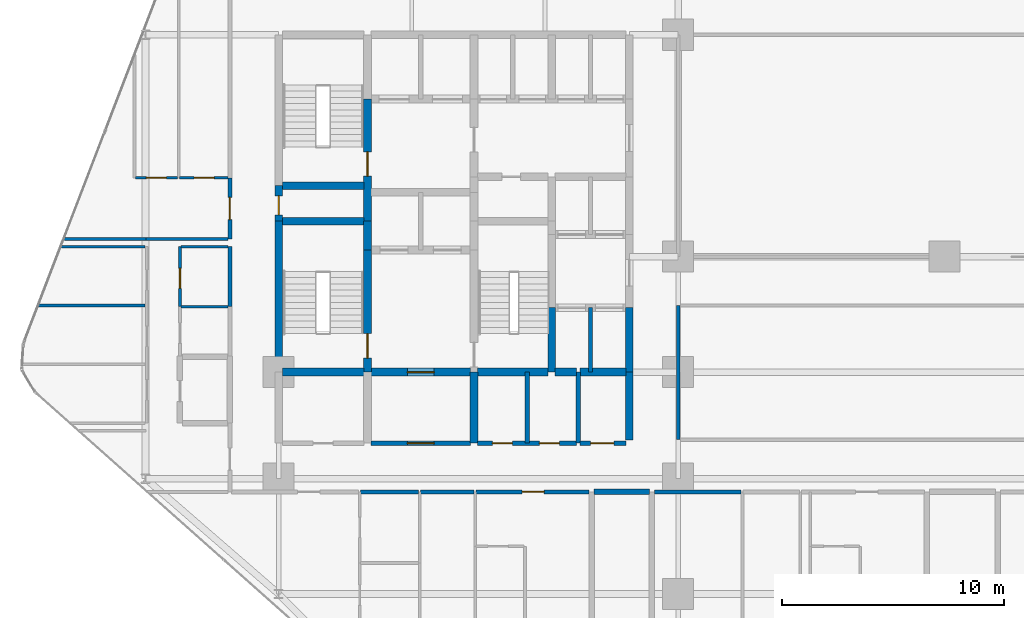
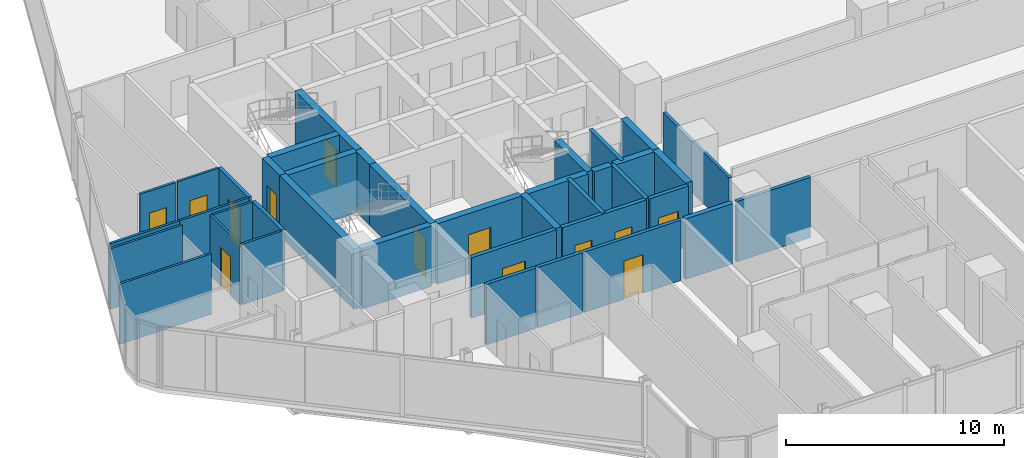
# One storey, part 27 of 33: 39 walls, 13 doors, 13 openings.
"""IFC4 building model written with IfcOpenShell, lengths in metres."""

import ifcopenshell
import ifcopenshell.guid

model = None  # the IFC model being written
_history = None  # IfcOwnerHistory: only IFC2X3 demands one
_inside = {}  # id of a spatial element -> (the spatial element, [elements in it])
_under = {}  # id of a project, library or spatial element -> (it, [spatial elements below it])
_declared = {}  # id of a project -> (the project, [libraries it declares])
_typed = {}  # id of a type object -> (the type object, [elements of that type])
_made_of = {}  # id of a material, layer set ... -> (it, [elements and type objects made of it])


def new_model(schema):
    """Start an empty IFC model of exactly this schema.

    Asked for "IFC4X3", IfcOpenShell would pick the latest addendum, in which some entities
    have other attributes; the version numbers below select the first issue.
    IFC2X3 requires an IfcOwnerHistory on every rooted entity: one is made here for all.
    """
    global model, _history
    if schema == "IFC4X3":
        model = ifcopenshell.file(schema_version=(4, 3, 0, 0))
    else:
        model = ifcopenshell.file(schema=schema)
    _inside.clear()
    _under.clear()
    _declared.clear()
    _typed.clear()
    _made_of.clear()
    _history = None
    if model.schema == "IFC2X3":
        org = make("IfcOrganization", Name="unknown")
        user = make(
            "IfcPersonAndOrganization",
            ThePerson=make("IfcPerson", FamilyName="unknown"),
            TheOrganization=org,
        )
        app = make(
            "IfcApplication",
            ApplicationDeveloper=org,
            Version="unknown",
            ApplicationFullName="unknown",
            ApplicationIdentifier="unknown",
        )
        _history = make(
            "IfcOwnerHistory",
            OwningUser=user,
            OwningApplication=app,
            ChangeAction="ADDED",
            CreationDate=0,
        )
    return model


def make(cls, **values):
    """One entity of the class cls with the attributes given. An attribute that is None is left unset."""
    return model.create_entity(
        cls, **{name: value for name, value in values.items() if value is not None}
    )


def rooted(cls, **values):
    """An entity with a GlobalId (a new one), such as an element, a storey or a relation."""
    return make(cls, GlobalId=ifcopenshell.guid.new(), OwnerHistory=_history, **values)


def si_unit(unit_type, name, prefix=None):
    """IfcSIUnit, for example si_unit("LENGTHUNIT", "METRE", prefix="MILLI")."""
    return make("IfcSIUnit", UnitType=unit_type, Prefix=prefix, Name=name)


def assignment(units):
    """IfcUnitAssignment: the units of a project."""
    return None if units is None else make("IfcUnitAssignment", Units=units)


def point(xyz):
    """IfcCartesianPoint."""
    return None if xyz is None else make("IfcCartesianPoint", Coordinates=xyz)


def direction(xyz):
    """IfcDirection."""
    return None if xyz is None else make("IfcDirection", DirectionRatios=xyz)


def frame(location, z_axis=None, x_axis=None):
    """IfcAxis2Placement3D, a coordinate frame: its origin and axes. An axis left out is left unset."""
    return make(
        "IfcAxis2Placement3D",
        Location=point(location),
        Axis=direction(z_axis),
        RefDirection=direction(x_axis),
    )


def frame_2d(location, x_axis=None):
    """IfcAxis2Placement2D, a coordinate frame in the plane: its origin and x axis."""
    return make(
        "IfcAxis2Placement2D", Location=point(location), RefDirection=direction(x_axis)
    )


def origin():
    """The frame at (0, 0, 0) with its axes left unset."""
    return frame((0.0, 0.0, 0.0))


def place(relative_to, where):
    """IfcLocalPlacement: puts the frame where relative to a parent placement (None: the world)."""
    return make(
        "IfcLocalPlacement", PlacementRelTo=relative_to, RelativePlacement=where
    )


def context(
    kind, dimensions, precision=None, world=None, true_north=None, identifier=None
):
    """IfcGeometricRepresentationContext, for example the 3D "Model" context."""
    return make(
        "IfcGeometricRepresentationContext",
        ContextIdentifier=identifier,
        ContextType=kind,
        CoordinateSpaceDimension=dimensions,
        Precision=precision,
        WorldCoordinateSystem=world,
        TrueNorth=true_north,
    )


def subcontext(parent, identifier, kind, view, scale=None):
    """IfcGeometricRepresentationSubContext, for example "Body" below "Model"."""
    return make(
        "IfcGeometricRepresentationSubContext",
        ContextIdentifier=identifier,
        ContextType=kind,
        ParentContext=parent,
        TargetScale=scale,
        TargetView=view,
    )


def project(units=None, contexts=None):
    """IfcProject with its units and contexts."""
    return rooted(
        "IfcProject",
        Name="project",
        RepresentationContexts=contexts,
        UnitsInContext=assignment(units),
    )


def spatial(cls, under=None, at=None, **own):
    """A site, building, storey or space (cls), placed at a placement, below another one or the project."""
    s = rooted(cls, ObjectPlacement=at, **own)
    if under is not None:
        _under.setdefault(under.id(), (under, []))[1].append(s)
    return s


def profile(cls, at=None, kind="AREA", **sizes):
    """A parametric profile (cls). Its sizes go by their IFC names, for example OverallWidth=200.0."""
    return make(cls, ProfileType=kind, Position=at, **sizes)


def rectangle(**sizes):
    """IfcRectangleProfileDef."""
    return profile("IfcRectangleProfileDef", **sizes)


def extrude(swept, where, along, depth):
    """IfcExtrudedAreaSolid: the profile swept, set in the frame where, extruded along a direction by depth."""
    return make(
        "IfcExtrudedAreaSolid",
        SweptArea=swept,
        Position=where,
        ExtrudedDirection=direction(along),
        Depth=depth,
    )


def shape(context_of_items, identifier, shape_type, items):
    """IfcShapeRepresentation: the items that make up one representation, for example the "Body"."""
    return make(
        "IfcShapeRepresentation",
        ContextOfItems=context_of_items,
        RepresentationIdentifier=identifier,
        RepresentationType=shape_type,
        Items=items,
    )


def material(Name=None, Category=None):
    """IfcMaterial."""
    return make("IfcMaterial", Name=Name, Category=Category)


def layer(
    of_material, thickness, ventilated=None, Name=None, Category=None, Priority=None
):
    """IfcMaterialLayer: one layer of a wall or slab, of a material (None: an air gap)."""
    return make(
        "IfcMaterialLayer",
        Material=of_material,
        LayerThickness=thickness,
        IsVentilated=ventilated,
        Name=Name,
        Category=Category,
        Priority=Priority,
    )


def layer_set(layers, Name=None):
    """IfcMaterialLayerSet."""
    return make("IfcMaterialLayerSet", MaterialLayers=layers, LayerSetName=Name)


def made_of(thing, what):
    """Note that an element or type object is made of a material, layer set ...; save() writes the relation."""
    if what is not None:
        _made_of.setdefault(what.id(), (what, []))[1].append(thing)
    return thing


def type_object(cls, material=None, **own):
    """A type object (cls), such as IfcWallType, which elements share."""
    return made_of(rooted(cls, **own), material)


def element(
    cls,
    number,
    at=None,
    inside=None,
    cuts=None,
    type_object=None,
    material=None,
    context=None,
    identifier="Body",
    shape_type=None,
    held_by="IfcProductDefinitionShape",
    body=None,
    shapes=None,
    **own,
):
    """One element of the class cls, such as IfcWall. Its Tag is "e" and its number.

    at: its placement. inside: the storey or other place that contains it. cuts: it is an
    opening in that element (IfcRelVoidsElement). A single representation is given by context,
    identifier, shape_type and body (its items); several are given by shapes. held_by: the class
    of the entity that holds the representations. save() writes the other relations.
    """
    e = rooted(cls, Tag="e%d" % number, ObjectPlacement=at, **own)
    if body is not None:
        shapes = [shape(context, identifier, shape_type, body)]
    if shapes is not None:
        e.Representation = make(held_by, Representations=shapes)
    if inside is not None:
        _inside.setdefault(inside.id(), (inside, []))[1].append(e)
    if cuts is not None:
        rooted(
            "IfcRelVoidsElement", RelatingBuildingElement=cuts, RelatedOpeningElement=e
        )
    if type_object is not None:
        _typed.setdefault(type_object.id(), (type_object, []))[1].append(e)
    return made_of(e, material)


def fill(opening, filler):
    """IfcRelFillsElement: the door or window that sits in an opening."""
    return rooted(
        "IfcRelFillsElement",
        RelatingOpeningElement=opening,
        RelatedBuildingElement=filler,
    )


def aggregate(whole, parts):
    """IfcRelAggregates: a whole, such as a stair, and the parts it consists of."""
    return rooted("IfcRelAggregates", RelatingObject=whole, RelatedObjects=parts)


def save(model, path):
    """Write the relations noted so far, then the file.

    IfcRelAggregates (storeys below a building ...), IfcRelContainedInSpatialStructure (elements
    in a storey), IfcRelDefinesByType, IfcRelAssociatesMaterial and IfcRelDeclares: one each for
    every whole, place, type object, material and project.
    """
    for whole, parts in _under.values():
        aggregate(whole, parts)
    for where, things in _inside.values():
        rooted(
            "IfcRelContainedInSpatialStructure",
            RelatedElements=things,
            RelatingStructure=where,
        )
    for kind, things in _typed.values():
        rooted("IfcRelDefinesByType", RelatedObjects=things, RelatingType=kind)
    for what, things in _made_of.values():
        rooted("IfcRelAssociatesMaterial", RelatedObjects=things, RelatingMaterial=what)
    for by, libraries in _declared.values():
        rooted("IfcRelDeclares", RelatingContext=by, RelatedDefinitions=libraries)
    model.write(path)


model = new_model("IFC4")

# Units and contexts
model_context = context("Model", 3, precision=1e-05, world=origin(), true_north=direction((0.0, 1.0)))
body_context = subcontext(model_context, "Body", "Model", "MODEL_VIEW")
ifc_project = project(units=[si_unit("LENGTHUNIT", "METRE"), si_unit("AREAUNIT", "SQUARE_METRE"), si_unit("VOLUMEUNIT", "CUBIC_METRE"), si_unit("PLANEANGLEUNIT", "RADIAN"), si_unit("MASSUNIT", "GRAM", prefix="KILO")], contexts=[model_context])

# Site, building, storey
site_placement = place(None, origin())
site = spatial("IfcSite", under=ifc_project, at=site_placement, CompositionType="ELEMENT")
building_placement = place(site_placement, origin())
building = spatial("IfcBuilding", under=site, at=building_placement, Name="Keshet Zoharim Tower", CompositionType="ELEMENT")
storey_placement = place(building_placement, frame((0.0, 0.0, 35.10009765625)))
storey = spatial("IfcBuildingStorey", under=building, at=storey_placement, Name="L07", CompositionType="ELEMENT", Elevation=35.10009765625)

# Walls
ifc_material_1 = material(Name="Gypsum Plasterboard", Category="gypsum")
ifc_layer_1 = layer(ifc_material_1, 0.14990234375)
ifc_layer_set_1 = layer_set([ifc_layer_1], Name="Gypsum Plasterboard")
wall_type_1 = type_object("IfcWallType", Name="WL-CLIN-150", PredefinedType="STANDARD", material=ifc_layer_set_1)
wall_1_placement = place(storey_placement, frame((33.0, 19.659912109375, 0.0), z_axis=(0.0, 0.0, 1.0), x_axis=(0.0, 1.0, 0.0)))
element("IfcWall", 1, at=wall_1_placement, inside=storey, type_object=wall_type_1, Name="L07 Interior Wall 072", PredefinedType="STANDARD", context=body_context, shape_type="SweptSolid", body=[
    extrude(rectangle(XDim=6.030029296875, YDim=0.14990234375, at=frame_2d((3.01513671875, 0.0))), origin(), (0.0, 0.0, 1.0), 2.885009765625),
])
ifc_material_2 = material(Name="Concrete C60/75", Category="concrete")
ifc_layer_2 = layer(ifc_material_2, 0.35009765625)
ifc_layer_set_2 = layer_set([ifc_layer_2], Name="Concrete C60/75")
wall_type_2 = type_object("IfcWallType", Name="WL-CORE-350", PredefinedType="SHEAR", material=ifc_layer_set_2)
wall_2_placement = place(storey_placement, frame((15.0, 22.699951171875, 0.0), z_axis=(0.0, 0.0, 1.0), x_axis=(0.0, 1.0, 0.0)))
element("IfcWall", 2, at=wall_2_placement, inside=storey, type_object=wall_type_2, Name="L07 Core Shear Wall 014", PredefinedType="SHEAR", context=body_context, shape_type="SweptSolid", body=[
    extrude(rectangle(XDim=6.800048828125, YDim=0.35009765625, at=frame_2d((3.39990234375, 0.0))), origin(), (0.0, 0.0, 1.0), 3.385009765625),
])

# Wall, opening, door
wall_3_placement = place(storey_placement, frame((15.0, 29.5, 0.0), z_axis=(0.0, 0.0, 1.0), x_axis=(0.0, 1.0, 0.0)))
wall_3 = element("IfcWall", 3, at=wall_3_placement, inside=storey, type_object=wall_type_2, Name="L07 Core Shear Wall 015", PredefinedType="SHEAR", context=body_context, shape_type="SweptSolid", body=[
    extrude(rectangle(XDim=1.60009765625, YDim=0.35009765625, at=frame_2d((0.800048828125, 0.0))), origin(), (0.0, 0.0, 1.0), 3.385009765625),
])
opening_1_placement = place(wall_3_placement, frame((0.287109375, 0.0, 0.0)))
opening_1 = element("IfcOpeningElement", 4, at=opening_1_placement, cuts=wall_3, Name="Opening D-RS85", PredefinedType="OPENING", context=body_context, shape_type="SweptSolid", body=[
    extrude(rectangle(XDim=0.85009765625, YDim=2.10009765625, at=frame_2d((0.425048828125, 1.050048828125))), frame((0.0, 0.18505859375, 0.0), z_axis=(0.0, -1.0, 0.0), x_axis=(1.0, 0.0, 0.0)), (0.0, 0.0, 1.0), 0.3701171875),
])
ifc_material_3 = material(Name="Hardwood Timber", Category="wood")
door_type_1 = type_object("IfcDoorType", Name="DR-RIS-085", OperationType="NOTDEFINED", PredefinedType="DOOR", material=ifc_material_3)
door_1_placement = place(opening_1_placement, origin())
door_1 = element("IfcDoor", 5, at=door_1_placement, inside=storey, type_object=door_type_1, Name="L07 Electrical Riser Access Cupboard Door", OperationType="SINGLE_SWING_LEFT", OverallHeight=2.10009765625, OverallWidth=0.85009765625, PredefinedType="DOOR", context=body_context, shape_type="SweptSolid", body=[
    extrude(rectangle(XDim=0.85009765625, YDim=2.10009765625, at=frame_2d((0.425048828125, 1.050048828125))), frame((0.0, 0.02490234375, 0.0), z_axis=(0.0, -1.0, 0.0), x_axis=(1.0, 0.0, 0.0)), (0.0, 0.0, 1.0), 0.050048828125),
])
fill(opening_1, door_1)

wall_4_placement = place(storey_placement, frame((19.0, 22.699951171875, 0.0), z_axis=(0.0, 0.0, 1.0), x_axis=(0.0, 1.0, 0.0)))
wall_4 = element("IfcWall", 6, at=wall_4_placement, inside=storey, type_object=wall_type_2, Name="L07 Core Shear Wall 022", PredefinedType="SHEAR", context=body_context, shape_type="SweptSolid", body=[
    extrude(rectangle(XDim=5.5, YDim=0.35009765625, at=frame_2d((2.75, 0.0))), origin(), (0.0, 0.0, 1.0), 3.385009765625),
])
opening_2_placement = place(wall_4_placement, frame((0.631103515625, 0.0, 0.0)))
opening_2 = element("IfcOpeningElement", 7, at=opening_2_placement, cuts=wall_4, Name="Opening D-F611", PredefinedType="OPENING", context=body_context, shape_type="SweptSolid", body=[
    extrude(rectangle(XDim=1.10009765625, YDim=2.14990234375, at=frame_2d((0.550048828125, 1.074951171875))), frame((0.0, 0.18505859375, 0.0), z_axis=(0.0, -1.0, 0.0), x_axis=(1.0, 0.0, 0.0)), (0.0, 0.0, 1.0), 0.3701171875),
])
door_type_2 = type_object("IfcDoorType", Name="DR-FD60-110", OperationType="NOTDEFINED", PredefinedType="DOOR", material=ifc_material_3)
door_2_placement = place(opening_2_placement, origin())
door_2 = element("IfcDoor", 8, at=door_2_placement, inside=storey, type_object=door_type_2, Name="L07 Exit Stair ST-01 Fire Door", OperationType="SINGLE_SWING_LEFT", OverallHeight=2.14990234375, OverallWidth=1.10009765625, PredefinedType="DOOR", context=body_context, shape_type="SweptSolid", body=[
    extrude(rectangle(XDim=1.10009765625, YDim=2.14990234375, at=frame_2d((0.550048828125, 1.074951171875))), frame((0.0, 0.02490234375, 0.0), z_axis=(0.0, -1.0, 0.0), x_axis=(1.0, 0.0, 0.0)), (0.0, 0.0, 1.0), 0.050048828125),
])
fill(opening_2, door_2)

# Wall
wall_5_placement = place(storey_placement, frame((19.0, 28.199951171875, 0.0), z_axis=(0.0, 0.0, 1.0), x_axis=(0.0, 1.0, 0.0)))
element("IfcWall", 9, at=wall_5_placement, inside=storey, type_object=wall_type_2, Name="L07 Core Shear Wall 023", PredefinedType="SHEAR", context=body_context, shape_type="SweptSolid", body=[
    extrude(rectangle(XDim=1.300048828125, YDim=0.35009765625, at=frame_2d((0.64990234375, 0.0))), origin(), (0.0, 0.0, 1.0), 3.385009765625),
])

# Wall, opening, door
wall_6_placement = place(storey_placement, frame((19.0, 29.5, 0.0), z_axis=(0.0, 0.0, 1.0), x_axis=(0.0, 1.0, 0.0)))
wall_6 = element("IfcWall", 10, at=wall_6_placement, inside=storey, type_object=wall_type_2, Name="L07 Core Shear Wall 024", PredefinedType="SHEAR", context=body_context, shape_type="SweptSolid", body=[
    extrude(rectangle(XDim=5.5, YDim=0.35009765625, at=frame_2d((2.75, 0.0))), origin(), (0.0, 0.0, 1.0), 3.385009765625),
])
opening_3_placement = place(wall_6_placement, frame((2.02490234375, 0.0, 0.0)))
opening_3 = element("IfcOpeningElement", 11, at=opening_3_placement, cuts=wall_6, Name="Opening D-F611", PredefinedType="OPENING", context=body_context, shape_type="SweptSolid", body=[
    extrude(rectangle(XDim=1.10009765625, YDim=2.14990234375, at=frame_2d((0.550048828125, 1.074951171875))), frame((0.0, 0.18505859375, 0.0), z_axis=(0.0, -1.0, 0.0), x_axis=(1.0, 0.0, 0.0)), (0.0, 0.0, 1.0), 0.3701171875),
])
door_3_placement = place(opening_3_placement, origin())
door_3 = element("IfcDoor", 12, at=door_3_placement, inside=storey, type_object=door_type_2, Name="L07 Exit Stair ST-02 Fire Door", OperationType="SINGLE_SWING_RIGHT", OverallHeight=2.14990234375, OverallWidth=1.10009765625, PredefinedType="DOOR", context=body_context, shape_type="SweptSolid", body=[
    extrude(rectangle(XDim=1.10009765625, YDim=2.14990234375, at=frame_2d((0.550048828125, 1.074951171875))), frame((0.0, 0.02490234375, 0.0), z_axis=(0.0, -1.0, 0.0), x_axis=(1.0, 0.0, 0.0)), (0.0, 0.0, 1.0), 0.050048828125),
])
fill(opening_3, door_3)

# Walls
wall_7_placement = place(storey_placement, frame((23.800048828125, 19.5, 0.0), z_axis=(0.0, 0.0, 1.0), x_axis=(0.0, 1.0, 0.0)))
element("IfcWall", 13, at=wall_7_placement, inside=storey, type_object=wall_type_2, Name="L07 Core Shear Wall 034", PredefinedType="SHEAR", context=body_context, shape_type="SweptSolid", body=[
    extrude(rectangle(XDim=3.199951171875, YDim=0.35009765625, at=frame_2d((1.60009765625, 0.0))), origin(), (0.0, 0.0, 1.0), 3.385009765625),
])
wall_8_placement = place(storey_placement, frame((27.300048828125, 22.699951171875, 0.0), z_axis=(0.0, 0.0, 1.0), x_axis=(0.0, 1.0, 0.0)))
element("IfcWall", 14, at=wall_8_placement, inside=storey, type_object=wall_type_2, Name="L07 Core Shear Wall 047", PredefinedType="SHEAR", context=body_context, shape_type="SweptSolid", body=[
    extrude(rectangle(XDim=2.900146484375, YDim=0.35009765625, at=frame_2d((1.4501953125, 0.0))), origin(), (0.0, 0.0, 1.0), 3.385009765625),
])
wall_9_placement = place(storey_placement, frame((30.800048828125, 19.64990234375, 0.0), z_axis=(0.0, 0.0, 1.0), x_axis=(0.0, 1.0, 0.0)))
element("IfcWall", 15, at=wall_9_placement, inside=storey, type_object=wall_type_2, Name="L07 Core Shear Wall 062", PredefinedType="SHEAR", context=body_context, shape_type="SweptSolid", body=[
    extrude(rectangle(XDim=3.050048828125, YDim=0.35009765625, at=frame_2d((1.52490234375, 0.0))), origin(), (0.0, 0.0, 1.0), 3.385009765625),
])
wall_10_placement = place(storey_placement, frame((30.800048828125, 22.699951171875, 0.0), z_axis=(0.0, 0.0, 1.0), x_axis=(0.0, 1.0, 0.0)))
element("IfcWall", 16, at=wall_10_placement, inside=storey, type_object=wall_type_2, Name="L07 Core Shear Wall 063", PredefinedType="SHEAR", context=body_context, shape_type="SweptSolid", body=[
    extrude(rectangle(XDim=2.900146484375, YDim=0.35009765625, at=frame_2d((1.4501953125, 0.0))), origin(), (0.0, 0.0, 1.0), 3.385009765625),
])
wall_11_placement = place(storey_placement, frame((15.159912109375, 22.699951171875, 0.0), z_axis=(0.0, 0.0, 1.0), x_axis=(1.0, 0.0, 0.0)))
element("IfcWall", 17, at=wall_11_placement, inside=storey, type_object=wall_type_2, Name="L07 Core Shear Wall 176", PredefinedType="SHEAR", context=body_context, shape_type="SweptSolid", body=[
    extrude(rectangle(XDim=3.68017578125, YDim=0.35009765625, at=frame_2d((1.840087890625, 0.0))), origin(), (0.0, 0.0, 1.0), 3.385009765625),
])

# Wall, opening, door
wall_12_placement = place(storey_placement, frame((19.159912109375, 22.699951171875, 0.0), z_axis=(0.0, 0.0, 1.0), x_axis=(1.0, 0.0, 0.0)))
wall_12 = element("IfcWall", 18, at=wall_12_placement, inside=storey, type_object=wall_type_2, Name="L07 Core Shear Wall 177", PredefinedType="SHEAR", context=body_context, shape_type="SweptSolid", body=[
    extrude(rectangle(XDim=4.47998046875, YDim=0.35009765625, at=frame_2d((2.239990234375, 0.0))), origin(), (0.0, 0.0, 1.0), 3.385009765625),
])
opening_4_placement = place(wall_12_placement, frame((1.639892578125, 0.0, 0.0)))
opening_4 = element("IfcOpeningElement", 19, at=opening_4_placement, cuts=wall_12, Name="Opening D-F612", PredefinedType="OPENING", context=body_context, shape_type="SweptSolid", body=[
    extrude(rectangle(XDim=1.199951171875, YDim=2.199951171875, at=frame_2d((0.60009765625, 1.10009765625))), frame((0.0, 0.18505859375, 0.0), z_axis=(0.0, -1.0, 0.0), x_axis=(1.0, 0.0, 0.0)), (0.0, 0.0, 1.0), 0.3701171875),
])
door_type_3 = type_object("IfcDoorType", Name="DR-FD60-120", OperationType="NOTDEFINED", PredefinedType="DOOR", material=ifc_material_3)
door_4_placement = place(opening_4_placement, origin())
door_4 = element("IfcDoor", 20, at=door_4_placement, inside=storey, type_object=door_type_3, Name="L07 South Core Lobby Fire Door", OperationType="SINGLE_SWING_RIGHT", OverallHeight=2.199951171875, OverallWidth=1.199951171875, PredefinedType="DOOR", context=body_context, shape_type="SweptSolid", body=[
    extrude(rectangle(XDim=1.199951171875, YDim=2.199951171875, at=frame_2d((0.60009765625, 1.10009765625))), frame((0.0, 0.02490234375, 0.0), z_axis=(0.0, -1.0, 0.0), x_axis=(1.0, 0.0, 0.0)), (0.0, 0.0, 1.0), 0.050048828125),
])
fill(opening_4, door_4)

# Walls
wall_13_placement = place(storey_placement, frame((23.9599609375, 22.699951171875, 0.0), z_axis=(0.0, 0.0, 1.0), x_axis=(1.0, 0.0, 0.0)))
element("IfcWall", 21, at=wall_13_placement, inside=storey, type_object=wall_type_2, Name="L07 Core Shear Wall 178", PredefinedType="SHEAR", context=body_context, shape_type="SweptSolid", body=[
    extrude(rectangle(XDim=3.179931640625, YDim=0.35009765625, at=frame_2d((1.58984375, 0.0))), origin(), (0.0, 0.0, 1.0), 3.385009765625),
])
wall_14_placement = place(storey_placement, frame((27.4599609375, 22.699951171875, 0.0), z_axis=(0.0, 0.0, 1.0), x_axis=(1.0, 0.0, 0.0)))
element("IfcWall", 22, at=wall_14_placement, inside=storey, type_object=wall_type_2, Name="L07 Core Shear Wall 179", PredefinedType="SHEAR", context=body_context, shape_type="SweptSolid", body=[
    extrude(rectangle(XDim=0.955078125, YDim=0.35009765625, at=frame_2d((0.4775390625, 0.0))), origin(), (0.0, 0.0, 1.0), 3.385009765625),
])
wall_15_placement = place(storey_placement, frame((28.5849609375, 22.699951171875, 0.0), z_axis=(0.0, 0.0, 1.0), x_axis=(1.0, 0.0, 0.0)))
element("IfcWall", 23, at=wall_15_placement, inside=storey, type_object=wall_type_2, Name="L07 Core Shear Wall 180", PredefinedType="SHEAR", context=body_context, shape_type="SweptSolid", body=[
    extrude(rectangle(XDim=2.054931640625, YDim=0.35009765625, at=frame_2d((1.02734375, 0.0))), origin(), (0.0, 0.0, 1.0), 3.385009765625),
])
for number, where, z_axis, x_axis, name in (
    (24, (15.159912109375, 29.5, 0.0), (0.0, 0.0, 1.0), (1.0, 0.0, 0.0), "L07 Core Shear Wall 194"),
    (25, (15.159912109375, 31.10009765625, 0.0), (0.0, 0.0, 1.0), (1.0, 0.0, 0.0), "L07 Core Shear Wall 197"),
):
    element("IfcWall", number, at=place(storey_placement, frame(where, z_axis=z_axis, x_axis=x_axis)), inside=storey, type_object=wall_type_2, Name=name, PredefinedType="SHEAR", context=body_context, shape_type="SweptSolid", body=[
        extrude(rectangle(XDim=3.68017578125, YDim=0.35009765625, at=frame_2d((1.840087890625, 0.0))), origin(), (0.0, 0.0, 1.0), 3.385009765625),
    ])
ifc_layer_3 = layer(ifc_material_1, 0.179931640625)
ifc_layer_set_3 = layer_set([ifc_layer_3], Name="Gypsum Plasterboard")
wall_type_3 = type_object("IfcWallType", Name="WL-CORR-180", PredefinedType="STANDARD", material=ifc_layer_set_3)
wall_16_placement = place(storey_placement, frame((12.800048828125, 25.64697265625, 0.0), z_axis=(0.0, 0.0, 1.0), x_axis=(0.0, 1.0, 0.0)))
element("IfcWall", 26, at=wall_16_placement, inside=storey, type_object=wall_type_3, Name="L07 Interior Wall 010", PredefinedType="STANDARD", context=body_context, shape_type="SweptSolid", body=[
    extrude(rectangle(XDim=2.703125, YDim=0.179931640625, at=frame_2d((1.3515625, 0.0))), origin(), (0.0, 0.0, 1.0), 3.385009765625),
])

# Wall, opening, door
wall_17_placement = place(storey_placement, frame((12.800048828125, 28.699951171875, 0.0), z_axis=(0.0, 0.0, 1.0), x_axis=(0.0, 1.0, 0.0)))
wall_17 = element("IfcWall", 27, at=wall_17_placement, inside=storey, type_object=wall_type_3, Name="L07 Interior Wall 011", PredefinedType="STANDARD", context=body_context, shape_type="SweptSolid", body=[
    extrude(rectangle(XDim=2.75, YDim=0.179931640625, at=frame_2d((1.375, 0.0))), origin(), (0.0, 0.0, 1.0), 3.385009765625),
])
opening_5_placement = place(wall_17_placement, frame((0.875, 0.0, 0.0)))
opening_5 = element("IfcOpeningElement", 28, at=opening_5_placement, cuts=wall_17, Name="Opening D-F310", PredefinedType="OPENING", context=body_context, shape_type="SweptSolid", body=[
    extrude(rectangle(XDim=1.0, YDim=2.14990234375, at=frame_2d((0.5, 1.074951171875))), frame((0.0, 0.10009765625, 0.0), z_axis=(0.0, -1.0, 0.0), x_axis=(1.0, 0.0, 0.0)), (0.0, 0.0, 1.0), 0.199951171875),
])
door_type_4 = type_object("IfcDoorType", Name="DR-FD30-100", OperationType="NOTDEFINED", PredefinedType="DOOR", material=ifc_material_3)
door_5_placement = place(opening_5_placement, origin())
door_5 = element("IfcDoor", 29, at=door_5_placement, inside=storey, type_object=door_type_4, Name="Apartment 0710 Entrance Door", OperationType="SINGLE_SWING_RIGHT", OverallHeight=2.14990234375, OverallWidth=1.0, PredefinedType="DOOR", context=body_context, shape_type="SweptSolid", body=[
    extrude(rectangle(XDim=1.0, YDim=2.14990234375, at=frame_2d((0.5, 1.074951171875))), frame((0.0, 0.02490234375, 0.0), z_axis=(0.0, -1.0, 0.0), x_axis=(1.0, 0.0, 0.0)), (0.0, 0.0, 1.0), 0.050048828125),
])
fill(opening_5, door_5)

# Walls
wall_18_placement = place(storey_placement, frame((18.68505859375, 17.300048828125, 0.0), z_axis=(0.0, 0.0, 1.0), x_axis=(1.0, 0.0, 0.0)))
element("IfcWall", 30, at=wall_18_placement, inside=storey, type_object=wall_type_3, Name="L07 Interior Wall 153", PredefinedType="STANDARD", context=body_context, shape_type="SweptSolid", body=[
    extrude(rectangle(XDim=2.60986328125, YDim=0.179931640625, at=frame_2d((1.304931640625, 0.0))), origin(), (0.0, 0.0, 1.0), 3.385009765625),
])
wall_19_placement = place(storey_placement, frame((21.385009765625, 17.300048828125, 0.0), z_axis=(0.0, 0.0, 1.0), x_axis=(1.0, 0.0, 0.0)))
element("IfcWall", 31, at=wall_19_placement, inside=storey, type_object=wall_type_3, Name="L07 Interior Wall 154", PredefinedType="STANDARD", context=body_context, shape_type="SweptSolid", body=[
    extrude(rectangle(XDim=2.409912109375, YDim=0.179931640625, at=frame_2d((1.205078125, 0.0))), origin(), (0.0, 0.0, 1.0), 3.385009765625),
])

# Wall, opening, door
wall_20_placement = place(storey_placement, frame((23.885009765625, 17.300048828125, 0.0), z_axis=(0.0, 0.0, 1.0), x_axis=(1.0, 0.0, 0.0)))
wall_20 = element("IfcWall", 32, at=wall_20_placement, inside=storey, type_object=wall_type_3, Name="L07 Interior Wall 155", PredefinedType="STANDARD", context=body_context, shape_type="SweptSolid", body=[
    extrude(rectangle(XDim=5.094970703125, YDim=0.179931640625, at=frame_2d((2.54736328125, 0.0))), origin(), (0.0, 0.0, 1.0), 3.385009765625),
])
opening_6_placement = place(wall_20_placement, frame((2.080078125, 0.0, 0.0)))
opening_6 = element("IfcOpeningElement", 33, at=opening_6_placement, cuts=wall_20, Name="Opening D-F310", PredefinedType="OPENING", context=body_context, shape_type="SweptSolid", body=[
    extrude(rectangle(XDim=1.0, YDim=2.14990234375, at=frame_2d((0.5, 1.074951171875))), frame((0.0, 0.10009765625, 0.0), z_axis=(0.0, -1.0, 0.0), x_axis=(1.0, 0.0, 0.0)), (0.0, 0.0, 1.0), 0.199951171875),
])
door_6_placement = place(opening_6_placement, origin())
door_6 = element("IfcDoor", 34, at=door_6_placement, inside=storey, type_object=door_type_4, Name="Apartment 0702 Entrance Door", OperationType="SINGLE_SWING_LEFT", OverallHeight=2.14990234375, OverallWidth=1.0, PredefinedType="DOOR", context=body_context, shape_type="SweptSolid", body=[
    extrude(rectangle(XDim=1.0, YDim=2.14990234375, at=frame_2d((0.5, 1.074951171875))), frame((0.0, 0.02490234375, 0.0), z_axis=(0.0, -1.0, 0.0), x_axis=(1.0, 0.0, 0.0)), (0.0, 0.0, 1.0), 0.050048828125),
])
fill(opening_6, door_6)

# Walls
wall_21_placement = place(storey_placement, frame((31.93505859375, 17.300048828125, 0.0), z_axis=(0.0, 0.0, 1.0), x_axis=(1.0, 0.0, 0.0)))
element("IfcWall", 35, at=wall_21_placement, inside=storey, type_object=wall_type_3, Name="L07 Interior Wall 157", PredefinedType="STANDARD", context=body_context, shape_type="SweptSolid", body=[
    extrude(rectangle(XDim=3.89990234375, YDim=0.179931640625, at=frame_2d((1.949951171875, 0.0))), origin(), (0.0, 0.0, 1.0), 3.385009765625),
])
ifc_material_4 = material(Name="Concrete C50/60", Category="concrete")
ifc_layer_4 = layer(ifc_material_4, 0.199951171875)
ifc_layer_set_4 = layer_set([ifc_layer_4], Name="Concrete C50/60")
wall_type_4 = type_object("IfcWallType", Name="WL-FIRE-200", PredefinedType="STANDARD", material=ifc_layer_set_4)
for number, where, z_axis, x_axis, name in (
    (36, (26.199951171875, 19.5, 0.0), (0.0, 0.0, 1.0), (0.0, 1.0, 0.0), "L07 Interior Wall 046"),
    (37, (28.5, 19.5, 0.0), (0.0, 0.0, 1.0), (0.0, 1.0, 0.0), "L07 Interior Wall 052"),
):
    element("IfcWall", number, at=place(storey_placement, frame(where, z_axis=z_axis, x_axis=x_axis)), inside=storey, type_object=wall_type_4, Name=name, PredefinedType="STANDARD", context=body_context, shape_type="SweptSolid", body=[
        extrude(rectangle(XDim=3.199951171875, YDim=0.199951171875, at=frame_2d((1.60009765625, 0.0))), origin(), (0.0, 0.0, 1.0), 3.385009765625),
    ])
wall_22_placement = place(storey_placement, frame((29.050048828125, 22.699951171875, 0.0), z_axis=(0.0, 0.0, 1.0), x_axis=(0.0, 1.0, 0.0)))
element("IfcWall", 38, at=wall_22_placement, inside=storey, type_object=wall_type_4, Name="L07 Interior Wall 057", PredefinedType="STANDARD", context=body_context, shape_type="SweptSolid", body=[
    extrude(rectangle(XDim=2.900146484375, YDim=0.199951171875, at=frame_2d((1.4501953125, 0.0))), origin(), (0.0, 0.0, 1.0), 3.385009765625),
])

# Wall, opening, door
wall_23_placement = place(storey_placement, frame((19.159912109375, 19.5, 0.0), z_axis=(0.0, 0.0, 1.0), x_axis=(1.0, 0.0, 0.0)))
wall_23 = element("IfcWall", 39, at=wall_23_placement, inside=storey, type_object=wall_type_4, Name="L07 Interior Wall 169", PredefinedType="STANDARD", context=body_context, shape_type="SweptSolid", body=[
    extrude(rectangle(XDim=4.47998046875, YDim=0.199951171875, at=frame_2d((2.239990234375, 0.0))), origin(), (0.0, 0.0, 1.0), 3.385009765625),
])
opening_7_placement = place(wall_23_placement, frame((1.639892578125, 0.0, 0.0)))
opening_7 = element("IfcOpeningElement", 40, at=opening_7_placement, cuts=wall_23, Name="Opening D-F612", PredefinedType="OPENING", context=body_context, shape_type="SweptSolid", body=[
    extrude(rectangle(XDim=1.199951171875, YDim=2.199951171875, at=frame_2d((0.60009765625, 1.10009765625))), frame((0.0, 0.10986328125, 0.0), z_axis=(0.0, -1.0, 0.0), x_axis=(1.0, 0.0, 0.0)), (0.0, 0.0, 1.0), 0.219970703125),
])
door_7_placement = place(opening_7_placement, origin())
door_7 = element("IfcDoor", 41, at=door_7_placement, inside=storey, type_object=door_type_3, Name="L07 South Vestibule Corridor Door", OperationType="SINGLE_SWING_LEFT", OverallHeight=2.199951171875, OverallWidth=1.199951171875, PredefinedType="DOOR", context=body_context, shape_type="SweptSolid", body=[
    extrude(rectangle(XDim=1.199951171875, YDim=2.199951171875, at=frame_2d((0.60009765625, 1.10009765625))), frame((0.0, 0.02490234375, 0.0), z_axis=(0.0, -1.0, 0.0), x_axis=(1.0, 0.0, 0.0)), (0.0, 0.0, 1.0), 0.050048828125),
])
fill(opening_7, door_7)

# Wall, openings, doors
wall_24_placement = place(storey_placement, frame((23.9599609375, 19.5, 0.0), z_axis=(0.0, 0.0, 1.0), x_axis=(1.0, 0.0, 0.0)))
wall_24 = element("IfcWall", 42, at=wall_24_placement, inside=storey, type_object=wall_type_4, Name="L07 Interior Wall 170", PredefinedType="STANDARD", context=body_context, shape_type="SweptSolid", body=[
    extrude(rectangle(XDim=4.455078125, YDim=0.199951171875, at=frame_2d((2.2275390625, 0.0))), origin(), (0.0, 0.0, 1.0), 3.385009765625),
])
opening_8_placement = place(wall_24_placement, frame((0.6650390625, 0.0, 0.0)))
opening_8 = element("IfcOpeningElement", 43, at=opening_8_placement, cuts=wall_24, Name="Opening D-F690", PredefinedType="OPENING", context=body_context, shape_type="SweptSolid", body=[
    extrude(rectangle(XDim=0.89990234375, YDim=2.14990234375, at=frame_2d((0.449951171875, 1.074951171875))), frame((0.0, 0.10986328125, 0.0), z_axis=(0.0, -1.0, 0.0), x_axis=(1.0, 0.0, 0.0)), (0.0, 0.0, 1.0), 0.219970703125),
])
opening_9_placement = place(wall_24_placement, frame((2.791015625, 0.0, 0.0)))
opening_9 = element("IfcOpeningElement", 44, at=opening_9_placement, cuts=wall_24, Name="Opening D-F690", PredefinedType="OPENING", context=body_context, shape_type="SweptSolid", body=[
    extrude(rectangle(XDim=0.89990234375, YDim=2.14990234375, at=frame_2d((0.449951171875, 1.074951171875))), frame((0.0, 0.10986328125, 0.0), z_axis=(0.0, -1.0, 0.0), x_axis=(1.0, 0.0, 0.0)), (0.0, 0.0, 1.0), 0.219970703125),
])
door_type_5 = type_object("IfcDoorType", Name="DR-FD60-090", OperationType="NOTDEFINED", PredefinedType="DOOR", material=ifc_material_3)
door_8_placement = place(opening_8_placement, origin())
door_8 = element("IfcDoor", 45, at=door_8_placement, inside=storey, type_object=door_type_5, Name="L07 Switchgear Room Door", OperationType="SINGLE_SWING_RIGHT", OverallHeight=2.14990234375, OverallWidth=0.89990234375, PredefinedType="DOOR", context=body_context, shape_type="SweptSolid", body=[
    extrude(rectangle(XDim=0.89990234375, YDim=2.14990234375, at=frame_2d((0.449951171875, 1.074951171875))), frame((0.0, 0.02490234375, 0.0), z_axis=(0.0, -1.0, 0.0), x_axis=(1.0, 0.0, 0.0)), (0.0, 0.0, 1.0), 0.050048828125),
])
fill(opening_8, door_8)
door_9_placement = place(opening_9_placement, origin())
door_9 = element("IfcDoor", 46, at=door_9_placement, inside=storey, type_object=door_type_5, Name="L07 Telecom Room Door", OperationType="SINGLE_SWING_LEFT", OverallHeight=2.14990234375, OverallWidth=0.89990234375, PredefinedType="DOOR", context=body_context, shape_type="SweptSolid", body=[
    extrude(rectangle(XDim=0.89990234375, YDim=2.14990234375, at=frame_2d((0.449951171875, 1.074951171875))), frame((0.0, 0.02490234375, 0.0), z_axis=(0.0, -1.0, 0.0), x_axis=(1.0, 0.0, 0.0)), (0.0, 0.0, 1.0), 0.050048828125),
])
fill(opening_9, door_9)

# Wall, opening, door
wall_25_placement = place(storey_placement, frame((28.5849609375, 19.5, 0.0), z_axis=(0.0, 0.0, 1.0), x_axis=(1.0, 0.0, 0.0)))
wall_25 = element("IfcWall", 47, at=wall_25_placement, inside=storey, type_object=wall_type_4, Name="L07 Interior Wall 171", PredefinedType="STANDARD", context=body_context, shape_type="SweptSolid", body=[
    extrude(rectangle(XDim=2.054931640625, YDim=0.199951171875, at=frame_2d((1.02734375, 0.0))), origin(), (0.0, 0.0, 1.0), 3.385009765625),
])
opening_10_placement = place(wall_25_placement, frame((0.466064453125, 0.0, 0.0)))
opening_10 = element("IfcOpeningElement", 48, at=opening_10_placement, cuts=wall_25, Name="Opening D-AC10", PredefinedType="OPENING", context=body_context, shape_type="SweptSolid", body=[
    extrude(rectangle(XDim=1.050048828125, YDim=2.14990234375, at=frame_2d((0.52490234375, 1.074951171875))), frame((0.0, 0.10986328125, 0.0), z_axis=(0.0, -1.0, 0.0), x_axis=(1.0, 0.0, 0.0)), (0.0, 0.0, 1.0), 0.219970703125),
])
door_type_6 = type_object("IfcDoorType", Name="DR-ACC-105", OperationType="NOTDEFINED", PredefinedType="DOOR", material=ifc_material_3)
door_10_placement = place(opening_10_placement, origin())
door_10 = element("IfcDoor", 49, at=door_10_placement, inside=storey, type_object=door_type_6, Name="L07 Accessible WC Door", OperationType="SINGLE_SWING_RIGHT", OverallHeight=2.14990234375, OverallWidth=1.050048828125, PredefinedType="DOOR", context=body_context, shape_type="SweptSolid", body=[
    extrude(rectangle(XDim=1.050048828125, YDim=2.14990234375, at=frame_2d((0.52490234375, 1.074951171875))), frame((0.0, 0.02490234375, 0.0), z_axis=(0.0, -1.0, 0.0), x_axis=(1.0, 0.0, 0.0)), (0.0, 0.0, 1.0), 0.050048828125),
])
fill(opening_10, door_10)

# Wall
ifc_layer_5 = layer(ifc_material_4, 0.25)
ifc_layer_set_5 = layer_set([ifc_layer_5], Name="Concrete C50/60")
wall_type_5 = type_object("IfcWallType", Name="WL-MAMAD-250", PredefinedType="STANDARD", material=ifc_layer_set_5)
wall_26_placement = place(storey_placement, frame((29.199951171875, 17.300048828125, 0.0), z_axis=(0.0, 0.0, 1.0), x_axis=(1.0, 0.0, 0.0)))
element("IfcWall", 50, at=wall_26_placement, inside=storey, type_object=wall_type_5, Name="L07 Interior Wall 156", PredefinedType="STANDARD", context=body_context, shape_type="SweptSolid", body=[
    extrude(rectangle(XDim=2.51513671875, YDim=0.25, at=frame_2d((1.257568359375, 0.0))), origin(), (0.0, 0.0, 1.0), 3.385009765625),
])

# Wall, opening, door
ifc_layer_6 = layer(ifc_material_1, 0.1201171875)
ifc_layer_set_6 = layer_set([ifc_layer_6], Name="Gypsum Plasterboard")
wall_type_6 = type_object("IfcWallType", Name="WL-PART-120", PredefinedType="PARTITIONING", material=ifc_layer_set_6)
wall_27_placement = place(storey_placement, frame((10.550048828125, 25.64697265625, 0.0), z_axis=(0.0, 0.0, 1.0), x_axis=(0.0, 1.0, 0.0)))
wall_27 = element("IfcWall", 51, at=wall_27_placement, inside=storey, type_object=wall_type_6, Name="L07 Interior Wall 006", PredefinedType="PARTITIONING", context=body_context, shape_type="SweptSolid", body=[
    extrude(rectangle(XDim=2.703125, YDim=0.1201171875, at=frame_2d((1.3515625, 0.0))), origin(), (0.0, 0.0, 1.0), 3.385009765625),
])
opening_11_placement = place(wall_27_placement, frame((0.830078125, 0.0, 0.0)))
opening_11 = element("IfcOpeningElement", 52, at=opening_11_placement, cuts=wall_27, Name="Opening D-IN90", PredefinedType="OPENING", context=body_context, shape_type="SweptSolid", body=[
    extrude(rectangle(XDim=0.89990234375, YDim=2.14990234375, at=frame_2d((0.449951171875, 1.074951171875))), frame((0.0, 0.070068359375, 0.0), z_axis=(0.0, -1.0, 0.0), x_axis=(1.0, 0.0, 0.0)), (0.0, 0.0, 1.0), 0.14013671875),
])
door_type_7 = type_object("IfcDoorType", Name="DR-INT-090", OperationType="NOTDEFINED", PredefinedType="DOOR", material=ifc_material_3)
door_11_placement = place(opening_11_placement, origin())
door_11 = element("IfcDoor", 53, at=door_11_placement, inside=storey, type_object=door_type_7, Name="Apartment 0709 Kitchen Door", OperationType="SINGLE_SWING_RIGHT", OverallHeight=2.14990234375, OverallWidth=0.89990234375, PredefinedType="DOOR", context=body_context, shape_type="SweptSolid", body=[
    extrude(rectangle(XDim=0.89990234375, YDim=2.14990234375, at=frame_2d((0.449951171875, 1.074951171875))), frame((0.0, 0.02490234375, 0.0), z_axis=(0.0, -1.0, 0.0), x_axis=(1.0, 0.0, 0.0)), (0.0, 0.0, 1.0), 0.050048828125),
])
fill(opening_11, door_11)

# Walls
wall_28_placement = place(storey_placement, frame((4.1640625, 25.699951171875, 0.0), z_axis=(0.0, 0.0, 1.0), x_axis=(1.0, 0.0, 0.0)))
element("IfcWall", 54, at=wall_28_placement, inside=storey, type_object=wall_type_6, Name="L07 Interior Wall 185", PredefinedType="PARTITIONING", context=body_context, shape_type="SweptSolid", body=[
    extrude(rectangle(XDim=4.821044921875, YDim=0.1201171875, at=frame_2d((2.41064453125, 0.0))), origin(), (0.0, 0.0, 1.0), 3.385009765625),
])
wall_29_placement = place(storey_placement, frame((5.18310546875, 28.35009765625, 0.0), z_axis=(0.0, 0.0, 1.0), x_axis=(1.0, 0.0, 0.0)))
element("IfcWall", 55, at=wall_29_placement, inside=storey, type_object=wall_type_6, Name="L07 Interior Wall 189", PredefinedType="PARTITIONING", context=body_context, shape_type="SweptSolid", body=[
    extrude(rectangle(XDim=3.802001953125, YDim=0.1201171875, at=frame_2d((1.90087890625, 0.0))), origin(), (0.0, 0.0, 1.0), 3.385009765625),
])
wall_30_placement = place(storey_placement, frame((10.594970703125, 28.35009765625, 0.0), z_axis=(0.0, 0.0, 1.0), x_axis=(1.0, 0.0, 0.0)))
element("IfcWall", 56, at=wall_30_placement, inside=storey, type_object=wall_type_6, Name="L07 Interior Wall 190", PredefinedType="PARTITIONING", context=body_context, shape_type="SweptSolid", body=[
    extrude(rectangle(XDim=2.130126953125, YDim=0.1201171875, at=frame_2d((1.06494140625, 0.0))), origin(), (0.0, 0.0, 1.0), 3.385009765625),
])
wall_31_placement = place(storey_placement, frame((5.31689453125, 28.699951171875, 0.0), z_axis=(0.0, 0.0, 1.0), x_axis=(1.0, 0.0, 0.0)))
element("IfcWall", 57, at=wall_31_placement, inside=storey, type_object=wall_type_6, Name="L07 Interior Wall 191", PredefinedType="PARTITIONING", context=body_context, shape_type="SweptSolid", body=[
    extrude(rectangle(XDim=3.713134765625, YDim=0.1201171875, at=frame_2d((1.8564453125, 0.0))), origin(), (0.0, 0.0, 1.0), 3.385009765625),
])
wall_32_placement = place(storey_placement, frame((9.030029296875, 28.699951171875, 0.0), z_axis=(0.0, 0.0, 1.0), x_axis=(1.0, 0.0, 0.0)))
element("IfcWall", 58, at=wall_32_placement, inside=storey, type_object=wall_type_6, Name="L07 Interior Wall 192", PredefinedType="PARTITIONING", context=body_context, shape_type="SweptSolid", body=[
    extrude(rectangle(XDim=3.695068359375, YDim=0.1201171875, at=frame_2d((1.84765625, 0.0))), origin(), (0.0, 0.0, 1.0), 3.385009765625),
])

# Wall, opening, door
wall_33_placement = place(storey_placement, frame((8.544921875, 31.449951171875, 0.0), z_axis=(0.0, 0.0, 1.0), x_axis=(1.0, 0.0, 0.0)))
wall_33 = element("IfcWall", 59, at=wall_33_placement, inside=storey, type_object=wall_type_6, Name="L07 Interior Wall 198", PredefinedType="PARTITIONING", context=body_context, shape_type="SweptSolid", body=[
    extrude(rectangle(XDim=1.88818359375, YDim=0.1201171875, at=frame_2d((0.944091796875, 0.0))), origin(), (0.0, 0.0, 1.0), 3.385009765625),
])
opening_12_placement = place(wall_33_placement, frame((0.493896484375, 0.0, 0.0)))
opening_12 = element("IfcOpeningElement", 60, at=opening_12_placement, cuts=wall_33, Name="Opening D-IN90", PredefinedType="OPENING", context=body_context, shape_type="SweptSolid", body=[
    extrude(rectangle(XDim=0.89990234375, YDim=2.14990234375, at=frame_2d((0.449951171875, 1.074951171875))), frame((0.0, 0.070068359375, 0.0), z_axis=(0.0, -1.0, 0.0), x_axis=(1.0, 0.0, 0.0)), (0.0, 0.0, 1.0), 0.14013671875),
])
door_12_placement = place(opening_12_placement, origin())
door_12 = element("IfcDoor", 61, at=door_12_placement, inside=storey, type_object=door_type_7, Name="Apartment 0710 Kitchen Door", OperationType="SINGLE_SWING_RIGHT", OverallHeight=2.14990234375, OverallWidth=0.89990234375, PredefinedType="DOOR", context=body_context, shape_type="SweptSolid", body=[
    extrude(rectangle(XDim=0.89990234375, YDim=2.14990234375, at=frame_2d((0.449951171875, 1.074951171875))), frame((0.0, 0.02490234375, 0.0), z_axis=(0.0, -1.0, 0.0), x_axis=(1.0, 0.0, 0.0)), (0.0, 0.0, 1.0), 0.050048828125),
])
fill(opening_12, door_12)

# Wall
ifc_layer_7 = layer(ifc_material_1, 0.1201171875)
ifc_layer_set_7 = layer_set([ifc_layer_7], Name="Gypsum Plasterboard")
wall_type_7 = type_object("IfcWallType", Name="WL-WET-120", PredefinedType="PARTITIONING", material=ifc_layer_set_7)
wall_34_placement = place(storey_placement, frame((10.594970703125, 25.64990234375, 0.0), z_axis=(0.0, 0.0, 1.0), x_axis=(1.0, 0.0, 0.0)))
element("IfcWall", 62, at=wall_34_placement, inside=storey, type_object=wall_type_7, Name="L07 Interior Wall 184", PredefinedType="PARTITIONING", context=body_context, shape_type="SweptSolid", body=[
    extrude(rectangle(XDim=2.130126953125, YDim=0.1201171875, at=frame_2d((1.06494140625, 0.0))), origin(), (0.0, 0.0, 1.0), 3.385009765625),
])

# Wall, opening, door
wall_35_placement = place(storey_placement, frame((10.52294921875, 31.449951171875, 0.0), z_axis=(0.0, 0.0, 1.0), x_axis=(1.0, 0.0, 0.0)))
wall_35 = element("IfcWall", 63, at=wall_35_placement, inside=storey, type_object=wall_type_7, Name="L07 Interior Wall 199", PredefinedType="PARTITIONING", context=body_context, shape_type="SweptSolid", body=[
    extrude(rectangle(XDim=2.2021484375, YDim=0.1201171875, at=frame_2d((1.10107421875, 0.0))), origin(), (0.0, 0.0, 1.0), 3.385009765625),
])
opening_13_placement = place(wall_35_placement, frame((0.666015625, 0.0, 0.0)))
opening_13 = element("IfcOpeningElement", 64, at=opening_13_placement, cuts=wall_35, Name="Opening D-WT90", PredefinedType="OPENING", context=body_context, shape_type="SweptSolid", body=[
    extrude(rectangle(XDim=0.89990234375, YDim=2.10009765625, at=frame_2d((0.449951171875, 1.050048828125))), frame((0.0, 0.070068359375, 0.0), z_axis=(0.0, -1.0, 0.0), x_axis=(1.0, 0.0, 0.0)), (0.0, 0.0, 1.0), 0.14013671875),
])
door_type_8 = type_object("IfcDoorType", Name="DR-WET-090", OperationType="NOTDEFINED", PredefinedType="DOOR", material=ifc_material_3)
door_13_placement = place(opening_13_placement, origin())
door_13 = element("IfcDoor", 65, at=door_13_placement, inside=storey, type_object=door_type_8, Name="Apartment 0710 Bathroom Door", OperationType="SINGLE_SWING_LEFT", OverallHeight=2.10009765625, OverallWidth=0.89990234375, PredefinedType="DOOR", context=body_context, shape_type="SweptSolid", body=[
    extrude(rectangle(XDim=0.89990234375, YDim=2.10009765625, at=frame_2d((0.449951171875, 1.050048828125))), frame((0.0, 0.02490234375, 0.0), z_axis=(0.0, -1.0, 0.0), x_axis=(1.0, 0.0, 0.0)), (0.0, 0.0, 1.0), 0.050048828125),
])
fill(opening_13, door_13)

save(model, "model.ifc")
